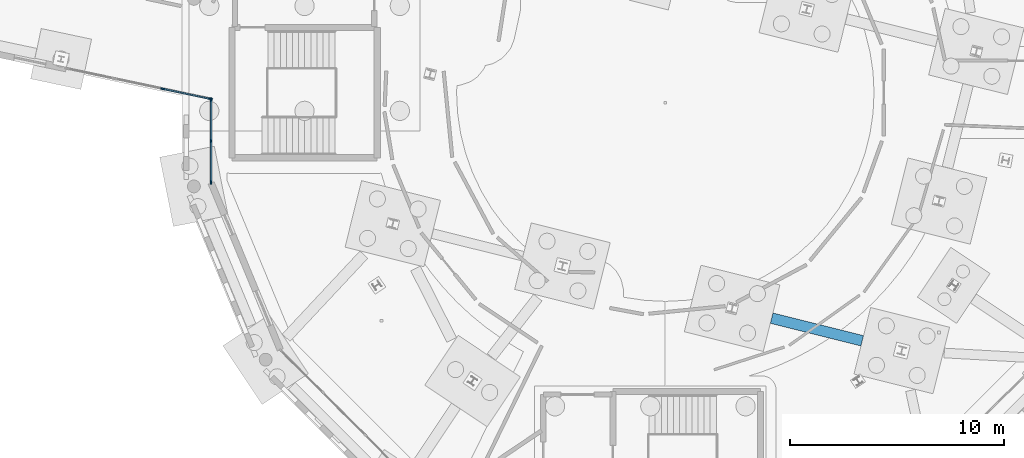
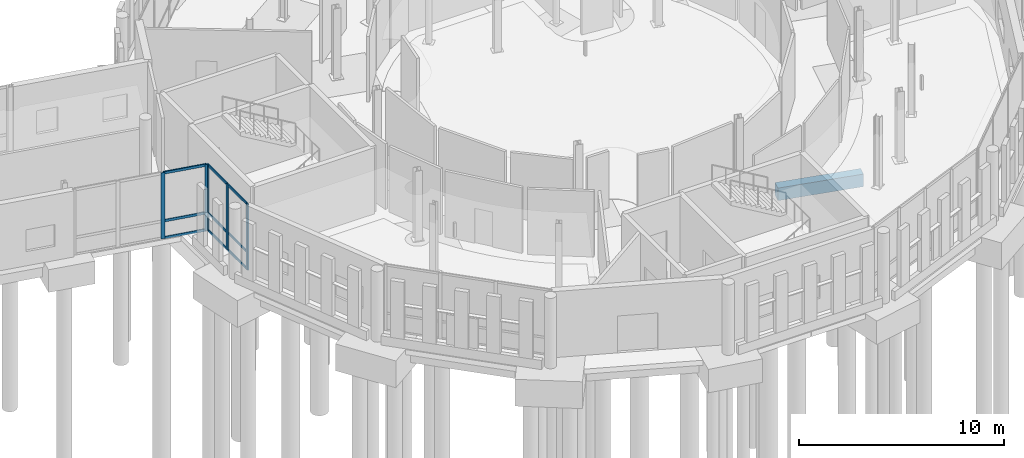
# One storey, part 52 of 113: 14 members, 1 beam, 2 elements without a shape of their own.
"""IFC4 building model written with IfcOpenShell, lengths in metres."""

from ifc_helpers import new_model, si_unit, direction, frame, origin, origin_2d, place, context, subcontext, project, spatial, rectangle, extrude, material, material_profile, profile_set, type_object, element, aggregate, save


model = new_model("IFC4")

# Units and contexts
model_context = context("Model", 3, precision=1e-05, world=origin(), true_north=direction((0.0, 1.0)))
body_context = subcontext(model_context, "Body", "Model", "MODEL_VIEW")
ifc_project = project(units=[si_unit("LENGTHUNIT", "METRE"), si_unit("AREAUNIT", "SQUARE_METRE"), si_unit("VOLUMEUNIT", "CUBIC_METRE"), si_unit("PLANEANGLEUNIT", "RADIAN"), si_unit("MASSUNIT", "GRAM", prefix="KILO")], contexts=[model_context])

# Site, building, storey
site_placement = place(None, origin())
site = spatial("IfcSite", under=ifc_project, at=site_placement, CompositionType="ELEMENT")
building_placement = place(site_placement, origin())
building = spatial("IfcBuilding", under=site, at=building_placement, Name="Wrenclough Park School", CompositionType="ELEMENT")
storey_placement = place(building_placement, origin())
storey = spatial("IfcBuildingStorey", under=building, at=storey_placement, Name="L00", CompositionType="ELEMENT", Elevation=0.0)

# Curtain wall, members
ifc_material_1 = material(Name="Thermally broken aluminium and low-e glass curtain wall", Category="aluminium")
curtain_wall_type_1 = type_object("IfcCurtainWallType", Name="ENV-CW-03", PredefinedType="USERDEFINED", material=ifc_material_1)
curtain_wall_1_placement = place(storey_placement, origin())
curtain_wall_1 = element("IfcCurtainWall", 1, at=curtain_wall_1_placement, inside=storey, type_object=curtain_wall_type_1, Name="L00 recessed curtain wall assembly 034", ObjectType="CURTAIN WALL", PredefinedType="USERDEFINED")
ifc_material_2 = material(Name="Thermally broken anodised aluminium", Category="aluminium")
ifc_material_profile_1 = material_profile(ifc_material_2, rectangle(XDim=0.06494140625, YDim=0.179931640625, at=origin_2d()), Name="AL MULLION 65x180")
ifc_profile_set_1 = profile_set([ifc_material_profile_1], Name="Thermally broken anodised aluminium")
member_type_1 = type_object("IfcMemberType", Name="ENV-CWM-2", PredefinedType="MULLION", material=ifc_profile_set_1)
member_1_placement = place(storey_placement, frame((134.287841796875, 22.317138671875, 0.0), z_axis=(0.0, 0.0, 1.0), x_axis=(-1.0, 0.0, 0.0)))
member_1 = element("IfcMember", 2, at=member_1_placement, type_object=member_type_1, Name="CW-03 mullion 1", PredefinedType="MULLION", context=body_context, shape_type="SweptSolid", body=[
    extrude(rectangle(XDim=0.06494140625, YDim=0.179931640625, at=origin_2d()), origin(), (0.0, 0.0, 1.0), 3.93994140625),
])
member_2_placement = place(storey_placement, frame((134.287841796875, 24.240478515625, 0.0), z_axis=(0.0, 0.0, 1.0), x_axis=(-1.0, 0.0, 0.0)))
member_2 = element("IfcMember", 3, at=member_2_placement, type_object=member_type_1, Name="CW-03 mullion 2", PredefinedType="MULLION", context=body_context, shape_type="SweptSolid", body=[
    extrude(rectangle(XDim=0.06494140625, YDim=0.179931640625, at=origin_2d()), origin(), (0.0, 0.0, 1.0), 3.93994140625),
])
member_3_placement = place(storey_placement, frame((134.287841796875, 26.1640625, 0.0), z_axis=(0.0, 0.0, 1.0), x_axis=(-1.0, 0.0, 0.0)))
member_3 = element("IfcMember", 4, at=member_3_placement, type_object=member_type_1, Name="CW-03 mullion 3", PredefinedType="MULLION", context=body_context, shape_type="SweptSolid", body=[
    extrude(rectangle(XDim=0.06494140625, YDim=0.179931640625, at=origin_2d()), origin(), (0.0, 0.0, 1.0), 3.93994140625),
])

curtain_wall_type_2 = type_object("IfcCurtainWallType", Name="ENV-CW-04", PredefinedType="USERDEFINED", material=ifc_material_1)
curtain_wall_2_placement = place(storey_placement, origin())
curtain_wall_2 = element("IfcCurtainWall", 5, at=curtain_wall_2_placement, inside=storey, type_object=curtain_wall_type_2, Name="L00 recessed curtain wall assembly 035", ObjectType="CURTAIN WALL", PredefinedType="USERDEFINED")
ifc_material_profile_2 = material_profile(ifc_material_2, rectangle(XDim=0.070068359375, YDim=0.199951171875, at=origin_2d()), Name="AL MULLION 70x200")
ifc_profile_set_2 = profile_set([ifc_material_profile_2], Name="Thermally broken anodised aluminium")
member_type_2 = type_object("IfcMemberType", Name="ENV-CWM-3", PredefinedType="MULLION", material=ifc_profile_set_2)
member_4_placement = place(storey_placement, frame((134.249755859375, 26.20849609375, 0.0), z_axis=(0.0, 0.0, 1.0), x_axis=(-0.206817690897, -0.97837949832, 0.0)))
member_4 = element("IfcMember", 6, at=member_4_placement, type_object=member_type_2, Name="CW-04 mullion 1", PredefinedType="MULLION", context=body_context, shape_type="SweptSolid", body=[
    extrude(rectangle(XDim=0.070068359375, YDim=0.199951171875, at=origin_2d()), origin(), (0.0, 0.0, 1.0), 3.93994140625),
])
member_5_placement = place(storey_placement, frame((132.0302734375, 26.677734375, 0.0), z_axis=(0.0, 0.0, 1.0), x_axis=(-0.206817690897, -0.97837949832, 0.0)))
member_5 = element("IfcMember", 7, at=member_5_placement, type_object=member_type_2, Name="CW-04 mullion 2", PredefinedType="MULLION", context=body_context, shape_type="SweptSolid", body=[
    extrude(rectangle(XDim=0.070068359375, YDim=0.199951171875, at=origin_2d()), origin(), (0.0, 0.0, 1.0), 3.93994140625),
])

# Member
ifc_material_profile_3 = material_profile(ifc_material_2, rectangle(XDim=0.06494140625, YDim=0.139892578125, at=origin_2d()), Name="AL TRANSOM 65x140")
ifc_profile_set_3 = profile_set([ifc_material_profile_3], Name="Thermally broken anodised aluminium")
member_type_3 = type_object("IfcMemberType", Name="ENV-CWT-2", PredefinedType="USERDEFINED", material=ifc_profile_set_3)
member_6_placement = place(storey_placement, frame((134.287841796875, 22.349609375, 0.032470703125), z_axis=(0.0, 1.0, 0.0), x_axis=(-1.0, 0.0, 0.0)))
member_6 = element("IfcMember", 8, at=member_6_placement, type_object=member_type_3, Name="CW-03 transom 1.1", ObjectType="TRANSOM", PredefinedType="USERDEFINED", context=body_context, shape_type="SweptSolid", body=[
    extrude(rectangle(XDim=0.06494140625, YDim=0.139892578125, at=origin_2d()), origin(), (0.0, 0.0, 1.0), 1.8583984375),
])

member_7_placement = place(storey_placement, frame((134.287841796875, 22.349609375, 1.050048828125), z_axis=(0.0, 1.0, 0.0), x_axis=(-1.0, 0.0, 0.0)))
member_7 = element("IfcMember", 9, at=member_7_placement, type_object=member_type_3, Name="CW-03 transom 1.2", ObjectType="TRANSOM", PredefinedType="USERDEFINED", context=body_context, shape_type="SweptSolid", body=[
    extrude(rectangle(XDim=0.06494140625, YDim=0.139892578125, at=origin_2d()), origin(), (0.0, 0.0, 1.0), 1.8583984375),
])

member_8_placement = place(storey_placement, frame((134.287841796875, 22.349609375, 3.907470703125), z_axis=(0.0, 1.0, 0.0), x_axis=(-1.0, 0.0, 0.0)))
member_8 = element("IfcMember", 10, at=member_8_placement, type_object=member_type_3, Name="CW-03 transom 1.3", ObjectType="TRANSOM", PredefinedType="USERDEFINED", context=body_context, shape_type="SweptSolid", body=[
    extrude(rectangle(XDim=0.06494140625, YDim=0.139892578125, at=origin_2d()), origin(), (0.0, 0.0, 1.0), 1.8583984375),
])

member_9_placement = place(storey_placement, frame((134.287841796875, 24.273193359375, 0.032470703125), z_axis=(0.0, 1.0, 0.0), x_axis=(-1.0, 0.0, 0.0)))
member_9 = element("IfcMember", 11, at=member_9_placement, type_object=member_type_3, Name="CW-03 transom 2.1", ObjectType="TRANSOM", PredefinedType="USERDEFINED", context=body_context, shape_type="SweptSolid", body=[
    extrude(rectangle(XDim=0.06494140625, YDim=0.139892578125, at=origin_2d()), origin(), (0.0, 0.0, 1.0), 1.8583984375),
])

member_10_placement = place(storey_placement, frame((134.287841796875, 24.273193359375, 1.050048828125), z_axis=(0.0, 1.0, 0.0), x_axis=(-1.0, 0.0, 0.0)))
member_10 = element("IfcMember", 12, at=member_10_placement, type_object=member_type_3, Name="CW-03 transom 2.2", ObjectType="TRANSOM", PredefinedType="USERDEFINED", context=body_context, shape_type="SweptSolid", body=[
    extrude(rectangle(XDim=0.06494140625, YDim=0.139892578125, at=origin_2d()), origin(), (0.0, 0.0, 1.0), 1.8583984375),
])

member_11_placement = place(storey_placement, frame((134.287841796875, 24.273193359375, 3.907470703125), z_axis=(0.0, 1.0, 0.0), x_axis=(-1.0, 0.0, 0.0)))
member_11 = element("IfcMember", 13, at=member_11_placement, type_object=member_type_3, Name="CW-03 transom 2.3", ObjectType="TRANSOM", PredefinedType="USERDEFINED", context=body_context, shape_type="SweptSolid", body=[
    extrude(rectangle(XDim=0.06494140625, YDim=0.139892578125, at=origin_2d()), origin(), (0.0, 0.0, 1.0), 1.8583984375),
])

aggregate(curtain_wall_1, [member_1, member_2, member_3, member_6, member_7, member_8, member_9, member_10, member_11])

ifc_material_profile_4 = material_profile(ifc_material_2, rectangle(XDim=0.070068359375, YDim=0.14990234375, at=origin_2d()), Name="AL TRANSOM 70x150")
ifc_profile_set_4 = profile_set([ifc_material_profile_4], Name="Thermally broken anodised aluminium")
member_type_4 = type_object("IfcMemberType", Name="ENV-CWT-3", PredefinedType="USERDEFINED", material=ifc_profile_set_4)
member_12_placement = place(storey_placement, frame((134.215576171875, 26.2158203125, 0.034912109375), z_axis=(-0.978391623519, 0.206760322664, 0.0), x_axis=(-0.206760322664, -0.978391623519, 0.0)))
member_12 = element("IfcMember", 14, at=member_12_placement, type_object=member_type_4, Name="CW-04 transom 1.1", ObjectType="TRANSOM", PredefinedType="USERDEFINED", context=body_context, shape_type="SweptSolid", body=[
    extrude(rectangle(XDim=0.070068359375, YDim=0.14990234375, at=origin_2d()), origin(), (0.0, 0.0, 1.0), 2.19873046875),
])

member_13_placement = place(storey_placement, frame((134.215576171875, 26.2158203125, 1.050048828125), z_axis=(-0.978391623519, 0.206760322664, 0.0), x_axis=(-0.206760322664, -0.978391623519, 0.0)))
member_13 = element("IfcMember", 15, at=member_13_placement, type_object=member_type_4, Name="CW-04 transom 1.2", ObjectType="TRANSOM", PredefinedType="USERDEFINED", context=body_context, shape_type="SweptSolid", body=[
    extrude(rectangle(XDim=0.070068359375, YDim=0.14990234375, at=origin_2d()), origin(), (0.0, 0.0, 1.0), 2.19873046875),
])

member_14_placement = place(storey_placement, frame((134.215576171875, 26.2158203125, 3.905029296875), z_axis=(-0.978391623519, 0.206760322664, 0.0), x_axis=(-0.206760322664, -0.978391623519, 0.0)))
member_14 = element("IfcMember", 16, at=member_14_placement, type_object=member_type_4, Name="CW-04 transom 1.3", ObjectType="TRANSOM", PredefinedType="USERDEFINED", context=body_context, shape_type="SweptSolid", body=[
    extrude(rectangle(XDim=0.070068359375, YDim=0.14990234375, at=origin_2d()), origin(), (0.0, 0.0, 1.0), 2.19873046875),
])

aggregate(curtain_wall_2, [member_4, member_5, member_12, member_13, member_14])

# Beam
ifc_material_3 = material(Name="Concrete C35/45", Category="concrete")
ifc_material_profile_5 = material_profile(ifc_material_3, rectangle(XDim=0.5, YDim=0.75, at=origin_2d()), Name="RC GROUND 500x750")
ifc_profile_set_5 = profile_set([ifc_material_profile_5], Name="Concrete C35/45")
beam_type = type_object("IfcBeamType", Name="STR-BM-GTB2", PredefinedType="USERDEFINED", material=ifc_profile_set_5)
beam_placement = place(storey_placement, frame((160.471435546875, 15.96435546875, -0.675048828125), z_axis=(0.970300728995, -0.241901829904, 0.0), x_axis=(0.241901829904, 0.970300728995, 0.0)))
element("IfcBeam", 17, at=beam_placement, inside=storey, type_object=beam_type, Name="Reinforced concrete ground tie beam 006", ObjectType="GROUND TIE BEAM", PredefinedType="USERDEFINED", context=body_context, shape_type="SweptSolid", body=[
    extrude(rectangle(XDim=0.5, YDim=0.75, at=origin_2d()), origin(), (0.0, 0.0, 1.0), 4.350830078125),
])

save(model, "model.ifc")
